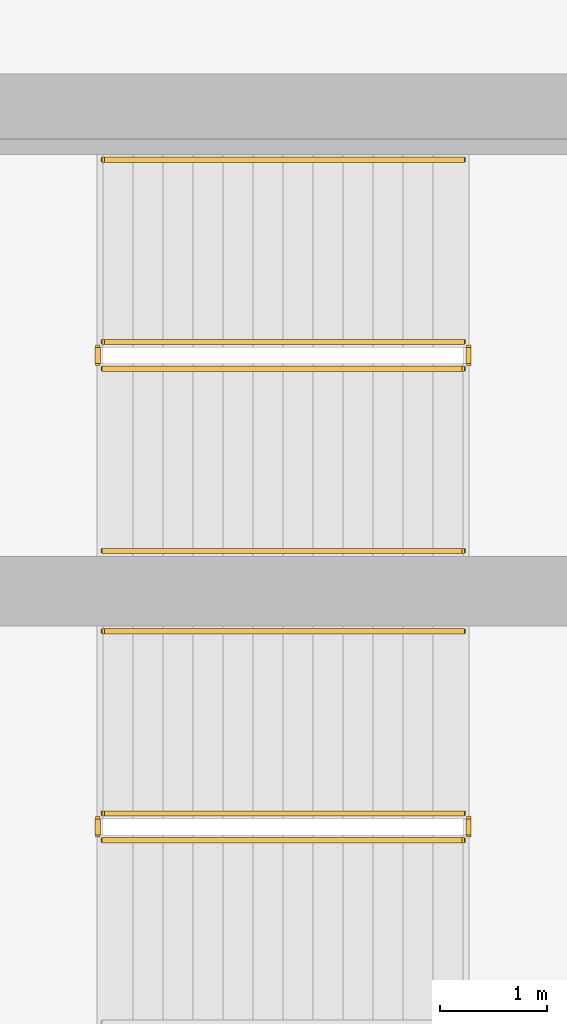
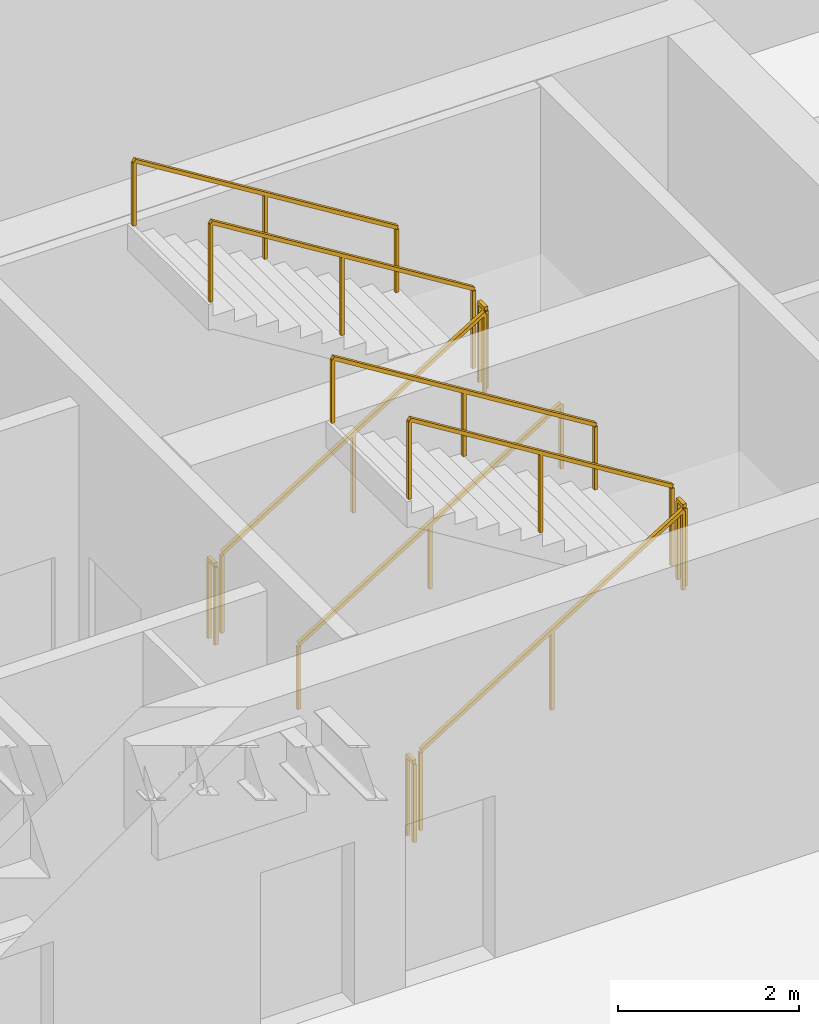
# One storey, part 8 of 9: 11 railings.
"""IFC4 building model written with IfcOpenShell, lengths in metres."""

from ifc_helpers import new_model, si_unit, direction, frame, origin, origin_2d, place, context, subcontext, project, spatial, rectangle, extrude, material, layer, layer_set, type_object, element, save


model = new_model("IFC4")

# Units and contexts
model_context = context("Model", 3, precision=1e-05, world=origin(), true_north=direction((0.0, 1.0)))
body_context = subcontext(model_context, "Body", "Model", "MODEL_VIEW")
ifc_project = project(units=[si_unit("LENGTHUNIT", "METRE"), si_unit("AREAUNIT", "SQUARE_METRE"), si_unit("VOLUMEUNIT", "CUBIC_METRE"), si_unit("PLANEANGLEUNIT", "RADIAN"), si_unit("MASSUNIT", "GRAM", prefix="KILO")], contexts=[model_context])

# Site, building, storey
site_placement = place(None, origin())
site = spatial("IfcSite", under=ifc_project, at=site_placement, CompositionType="ELEMENT")
building_placement = place(site_placement, origin())
building = spatial("IfcBuilding", under=site, at=building_placement, Name="Caeloran Harvest Quay", CompositionType="ELEMENT")
storey_placement = place(building_placement, frame((0.0, 0.0, -13.5)))
storey = spatial("IfcBuildingStorey", under=building, at=storey_placement, Name="B03", CompositionType="ELEMENT", Elevation=-13.5)

# Railings
ifc_material_1 = material(Name="Painted Steel Baluster and Top-Rail Stair Guard", Category="steel")
ifc_layer_1 = layer(ifc_material_1, 0.050048828125, Name="Painted Steel Baluster and Top-Rail Stair Guard")
ifc_layer_set_1 = layer_set([ifc_layer_1], Name="Painted Steel Baluster and Top-Rail Stair Guard")
railing_type_1 = type_object("IfcRailingType", Name="STAIR-GUARD-1100", PredefinedType="GUARDRAIL", material=ifc_layer_set_1)
railing_1_placement = place(storey_placement, frame((15.89990234375, 38.25, 0.173095703125)))
element("IfcRailing", 1, at=railing_1_placement, inside=storey, type_object=railing_type_1, Name="B03 ST-C1 stair guard 1", PredefinedType="GUARDRAIL", context=body_context, shape_type="SweptSolid", body=[
    extrude(rectangle(XDim=0.048095703125, YDim=0.048095703125, at=origin_2d()), frame((0.0, 0.0, 1.076171875), z_axis=(0.850623216509, 0.0, 0.525775754039), x_axis=(0.0, 1.0, 0.0)), (0.0, 0.0, 1.0), 3.9501953125),
    extrude(rectangle(XDim=0.0419921875, YDim=0.0419921875, at=origin_2d()), origin(), (0.0, 0.0, 1.0), 1.052001953125),
    extrude(rectangle(XDim=0.0419921875, YDim=0.0419921875, at=origin_2d()), frame((1.68017578125, 0.0, 1.03857421875)), (0.0, 0.0, 1.0), 1.052001953125),
    extrude(rectangle(XDim=0.0419921875, YDim=0.0419921875, at=origin_2d()), frame((3.360107421875, 0.0, 2.076904296875)), (0.0, 0.0, 1.0), 1.052001953125),
])
railing_2_placement = place(storey_placement, frame((19.31005859375, 38.300048828125, 2.25)))
element("IfcRailing", 2, at=railing_2_placement, inside=storey, type_object=railing_type_1, Name="B03 ST-C1 stair guard 2", PredefinedType="GUARDRAIL", context=body_context, shape_type="SweptSolid", body=[
    extrude(rectangle(XDim=0.048095703125, YDim=0.048095703125, at=origin_2d()), frame((0.0, 0.0, 1.076171875), z_axis=(0.0, 1.0, 0.0), x_axis=(-1.0, 0.0, 0.0)), (0.0, 0.0, 1.0), 0.14990234375),
    extrude(rectangle(XDim=0.0419921875, YDim=0.0419921875, at=origin_2d()), origin(), (0.0, 0.0, 1.0), 1.052001953125),
    extrude(rectangle(XDim=0.0419921875, YDim=0.0419921875, at=origin_2d()), frame((0.0, 0.14990234375, 0.0)), (0.0, 0.0, 1.0), 1.052001953125),
])
railing_3_placement = place(storey_placement, frame((19.260009765625, 38.5, 2.423095703125)))
element("IfcRailing", 3, at=railing_3_placement, inside=storey, type_object=railing_type_1, Name="B03 ST-C1 stair guard 3", PredefinedType="GUARDRAIL", context=body_context, shape_type="SweptSolid", body=[
    extrude(rectangle(XDim=0.048095703125, YDim=0.048095703125, at=origin_2d()), frame((0.0, 0.0, 1.076171875), z_axis=(-0.850623216509, 0.0, 0.525775754039), x_axis=(0.0, -1.0, 0.0)), (0.0, 0.0, 1.0), 3.9501953125),
    extrude(rectangle(XDim=0.0419921875, YDim=0.0419921875, at=origin_2d()), origin(), (0.0, 0.0, 1.0), 1.052001953125),
    extrude(rectangle(XDim=0.0419921875, YDim=0.0419921875, at=origin_2d()), frame((-1.68017578125, 0.0, 1.03857421875)), (0.0, 0.0, 1.0), 1.052001953125),
    extrude(rectangle(XDim=0.0419921875, YDim=0.0419921875, at=origin_2d()), frame((-3.360107421875, 0.0, 2.076904296875)), (0.0, 0.0, 1.0), 1.052001953125),
])
railing_4_placement = place(storey_placement, frame((15.85009765625, 38.300048828125, 0.0)))
element("IfcRailing", 4, at=railing_4_placement, inside=storey, type_object=railing_type_1, Name="B03 ST-C1 stair guard 4", PredefinedType="GUARDRAIL", context=body_context, shape_type="SweptSolid", body=[
    extrude(rectangle(XDim=0.048095703125, YDim=0.048095703125, at=origin_2d()), frame((0.0, 0.0, 1.076171875), z_axis=(0.0, 1.0, 0.0), x_axis=(-1.0, 0.0, 0.0)), (0.0, 0.0, 1.0), 0.14990234375),
    extrude(rectangle(XDim=0.0419921875, YDim=0.0419921875, at=origin_2d()), origin(), (0.0, 0.0, 1.0), 1.052001953125),
    extrude(rectangle(XDim=0.0419921875, YDim=0.0419921875, at=origin_2d()), frame((0.0, 0.14990234375, 0.0)), (0.0, 0.0, 1.0), 1.052001953125),
])
railing_5_placement = place(storey_placement, frame((15.89990234375, 33.85009765625, 0.173095703125)))
element("IfcRailing", 5, at=railing_5_placement, inside=storey, type_object=railing_type_1, Name="B03 ST-C2 stair guard 1", PredefinedType="GUARDRAIL", context=body_context, shape_type="SweptSolid", body=[
    extrude(rectangle(XDim=0.048095703125, YDim=0.048095703125, at=origin_2d()), frame((0.0, 0.0, 1.076171875), z_axis=(0.850623216509, 0.0, 0.525775754039), x_axis=(0.0, 1.0, 0.0)), (0.0, 0.0, 1.0), 3.9501953125),
    extrude(rectangle(XDim=0.0419921875, YDim=0.0419921875, at=origin_2d()), origin(), (0.0, 0.0, 1.0), 1.052001953125),
    extrude(rectangle(XDim=0.0419921875, YDim=0.0419921875, at=origin_2d()), frame((1.68017578125, 0.0, 1.03857421875)), (0.0, 0.0, 1.0), 1.052001953125),
    extrude(rectangle(XDim=0.0419921875, YDim=0.0419921875, at=origin_2d()), frame((3.360107421875, 0.0, 2.076904296875)), (0.0, 0.0, 1.0), 1.052001953125),
])
railing_6_placement = place(storey_placement, frame((19.31005859375, 33.89990234375, 2.25)))
element("IfcRailing", 6, at=railing_6_placement, inside=storey, type_object=railing_type_1, Name="B03 ST-C2 stair guard 2", PredefinedType="GUARDRAIL", context=body_context, shape_type="SweptSolid", body=[
    extrude(rectangle(XDim=0.048095703125, YDim=0.048095703125, at=origin_2d()), frame((0.0, 0.0, 1.076171875), z_axis=(0.0, 1.0, 0.0), x_axis=(-1.0, 0.0, 0.0)), (0.0, 0.0, 1.0), 0.150146484375),
    extrude(rectangle(XDim=0.0419921875, YDim=0.0419921875, at=origin_2d()), origin(), (0.0, 0.0, 1.0), 1.052001953125),
    extrude(rectangle(XDim=0.0419921875, YDim=0.0419921875, at=origin_2d()), frame((0.0, 0.150146484375, 0.0)), (0.0, 0.0, 1.0), 1.052001953125),
])
railing_7_placement = place(storey_placement, frame((19.260009765625, 34.10009765625, 2.423095703125)))
element("IfcRailing", 7, at=railing_7_placement, inside=storey, type_object=railing_type_1, Name="B03 ST-C2 stair guard 3", PredefinedType="GUARDRAIL", context=body_context, shape_type="SweptSolid", body=[
    extrude(rectangle(XDim=0.048095703125, YDim=0.048095703125, at=origin_2d()), frame((0.0, 0.0, 1.076171875), z_axis=(-0.850623216509, 0.0, 0.525775754039), x_axis=(0.0, -1.0, 0.0)), (0.0, 0.0, 1.0), 3.9501953125),
    extrude(rectangle(XDim=0.0419921875, YDim=0.0419921875, at=origin_2d()), origin(), (0.0, 0.0, 1.0), 1.052001953125),
    extrude(rectangle(XDim=0.0419921875, YDim=0.0419921875, at=origin_2d()), frame((-1.68017578125, 0.0, 1.03857421875)), (0.0, 0.0, 1.0), 1.052001953125),
    extrude(rectangle(XDim=0.0419921875, YDim=0.0419921875, at=origin_2d()), frame((-3.360107421875, 0.0, 2.076904296875)), (0.0, 0.0, 1.0), 1.052001953125),
])
railing_8_placement = place(storey_placement, frame((15.85009765625, 33.89990234375, 0.0)))
element("IfcRailing", 8, at=railing_8_placement, inside=storey, type_object=railing_type_1, Name="B03 ST-C2 stair guard 4", PredefinedType="GUARDRAIL", context=body_context, shape_type="SweptSolid", body=[
    extrude(rectangle(XDim=0.048095703125, YDim=0.048095703125, at=origin_2d()), frame((0.0, 0.0, 1.076171875), z_axis=(0.0, 1.0, 0.0), x_axis=(-1.0, 0.0, 0.0)), (0.0, 0.0, 1.0), 0.150146484375),
    extrude(rectangle(XDim=0.0419921875, YDim=0.0419921875, at=origin_2d()), origin(), (0.0, 0.0, 1.0), 1.052001953125),
    extrude(rectangle(XDim=0.0419921875, YDim=0.0419921875, at=origin_2d()), frame((0.0, 0.150146484375, 0.0)), (0.0, 0.0, 1.0), 1.052001953125),
])
ifc_material_2 = material(Name="Brushed Stainless Steel Grade 304", Category="steel")
ifc_layer_2 = layer(ifc_material_2, 0.050048828125, Name="Brushed Stainless Steel Grade 304")
ifc_layer_set_2 = layer_set([ifc_layer_2], Name="Brushed Stainless Steel Grade 304")
railing_type_2 = type_object("IfcRailingType", Name="STAIR-HANDRAIL-900", PredefinedType="HANDRAIL", material=ifc_layer_set_2)
railing_9_placement = place(storey_placement, frame((15.89990234375, 36.550048828125, 0.173095703125)))
element("IfcRailing", 9, at=railing_9_placement, inside=storey, type_object=railing_type_2, Name="B03 ST-C1 stair handrail 1", PredefinedType="HANDRAIL", context=body_context, shape_type="SweptSolid", body=[
    extrude(rectangle(XDim=0.048095703125, YDim=0.048095703125, at=origin_2d()), frame((0.0, 0.0, 0.8759765625), z_axis=(0.850623216509, 0.0, 0.525775754039), x_axis=(0.0, 1.0, 0.0)), (0.0, 0.0, 1.0), 3.9501953125),
    extrude(rectangle(XDim=0.0419921875, YDim=0.0419921875, at=origin_2d()), origin(), (0.0, 0.0, 1.0), 0.851806640625),
    extrude(rectangle(XDim=0.0419921875, YDim=0.0419921875, at=origin_2d()), frame((1.68017578125, 0.0, 1.03857421875)), (0.0, 0.0, 1.0), 0.851806640625),
    extrude(rectangle(XDim=0.0419921875, YDim=0.0419921875, at=origin_2d()), frame((3.360107421875, 0.0, 2.076904296875)), (0.0, 0.0, 1.0), 0.851806640625),
])
for number, where, name in (
    (10, (19.260009765625, 40.199951171875, 2.423095703125), "B03 ST-C1 stair handrail 2"),
    (11, (19.260009765625, 35.800048828125, 2.423095703125), "B03 ST-C2 stair handrail 2"),
):
    element("IfcRailing", number, at=place(storey_placement, frame(where)), inside=storey, type_object=railing_type_2, Name=name, PredefinedType="HANDRAIL", context=body_context, shape_type="SweptSolid", body=[
        extrude(rectangle(XDim=0.048095703125, YDim=0.048095703125, at=origin_2d()), frame((0.0, 0.0, 0.8759765625), z_axis=(-0.850623216509, 0.0, 0.525775754039), x_axis=(0.0, -1.0, 0.0)), (0.0, 0.0, 1.0), 3.9501953125),
        extrude(rectangle(XDim=0.0419921875, YDim=0.0419921875, at=origin_2d()), origin(), (0.0, 0.0, 1.0), 0.851806640625),
        extrude(rectangle(XDim=0.0419921875, YDim=0.0419921875, at=origin_2d()), frame((-1.68017578125, 0.0, 1.03857421875)), (0.0, 0.0, 1.0), 0.851806640625),
        extrude(rectangle(XDim=0.0419921875, YDim=0.0419921875, at=origin_2d()), frame((-3.360107421875, 0.0, 2.076904296875)), (0.0, 0.0, 1.0), 0.851806640625),
    ])

save(model, "model.ifc")
